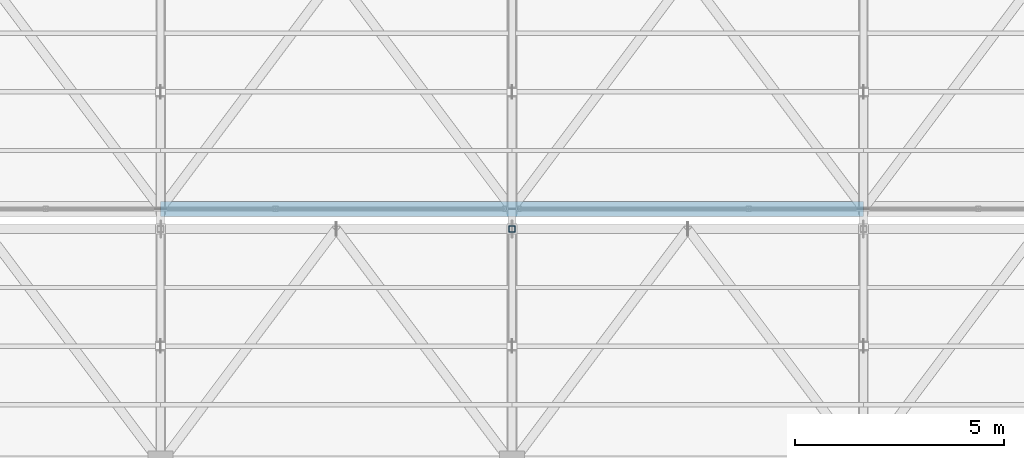
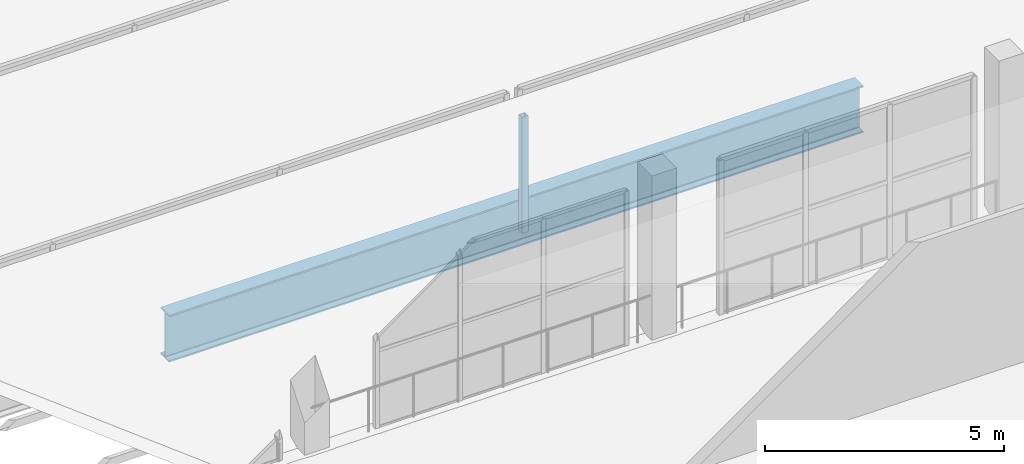
# One storey, part 77 of 217: 1 beam, 1 member.
"""IFC4 building model written with IfcOpenShell, lengths in metres."""

import ifcopenshell
import ifcopenshell.guid

model = None  # the IFC model being written
_history = None  # IfcOwnerHistory: only IFC2X3 demands one
_inside = {}  # id of a spatial element -> (the spatial element, [elements in it])
_under = {}  # id of a project, library or spatial element -> (it, [spatial elements below it])
_declared = {}  # id of a project -> (the project, [libraries it declares])
_typed = {}  # id of a type object -> (the type object, [elements of that type])
_made_of = {}  # id of a material, layer set ... -> (it, [elements and type objects made of it])


def new_model(schema):
    """Start an empty IFC model of exactly this schema.

    Asked for "IFC4X3", IfcOpenShell would pick the latest addendum, in which some entities
    have other attributes; the version numbers below select the first issue.
    IFC2X3 requires an IfcOwnerHistory on every rooted entity: one is made here for all.
    """
    global model, _history
    if schema == "IFC4X3":
        model = ifcopenshell.file(schema_version=(4, 3, 0, 0))
    else:
        model = ifcopenshell.file(schema=schema)
    _inside.clear()
    _under.clear()
    _declared.clear()
    _typed.clear()
    _made_of.clear()
    _history = None
    if model.schema == "IFC2X3":
        org = make("IfcOrganization", Name="unknown")
        user = make(
            "IfcPersonAndOrganization",
            ThePerson=make("IfcPerson", FamilyName="unknown"),
            TheOrganization=org,
        )
        app = make(
            "IfcApplication",
            ApplicationDeveloper=org,
            Version="unknown",
            ApplicationFullName="unknown",
            ApplicationIdentifier="unknown",
        )
        _history = make(
            "IfcOwnerHistory",
            OwningUser=user,
            OwningApplication=app,
            ChangeAction="ADDED",
            CreationDate=0,
        )
    return model


def make(cls, **values):
    """One entity of the class cls with the attributes given. An attribute that is None is left unset."""
    return model.create_entity(
        cls, **{name: value for name, value in values.items() if value is not None}
    )


def rooted(cls, **values):
    """An entity with a GlobalId (a new one), such as an element, a storey or a relation."""
    return make(cls, GlobalId=ifcopenshell.guid.new(), OwnerHistory=_history, **values)


def si_unit(unit_type, name, prefix=None):
    """IfcSIUnit, for example si_unit("LENGTHUNIT", "METRE", prefix="MILLI")."""
    return make("IfcSIUnit", UnitType=unit_type, Prefix=prefix, Name=name)


def assignment(units):
    """IfcUnitAssignment: the units of a project."""
    return None if units is None else make("IfcUnitAssignment", Units=units)


def point(xyz):
    """IfcCartesianPoint."""
    return None if xyz is None else make("IfcCartesianPoint", Coordinates=xyz)


def direction(xyz):
    """IfcDirection."""
    return None if xyz is None else make("IfcDirection", DirectionRatios=xyz)


def frame(location, z_axis=None, x_axis=None):
    """IfcAxis2Placement3D, a coordinate frame: its origin and axes. An axis left out is left unset."""
    return make(
        "IfcAxis2Placement3D",
        Location=point(location),
        Axis=direction(z_axis),
        RefDirection=direction(x_axis),
    )


def frame_2d(location, x_axis=None):
    """IfcAxis2Placement2D, a coordinate frame in the plane: its origin and x axis."""
    return make(
        "IfcAxis2Placement2D", Location=point(location), RefDirection=direction(x_axis)
    )


def origin():
    """The frame at (0, 0, 0) with its axes left unset."""
    return frame((0.0, 0.0, 0.0))


def origin_2d():
    """The frame at (0, 0) in the plane with its x axis left unset."""
    return frame_2d((0.0, 0.0))


def place(relative_to, where):
    """IfcLocalPlacement: puts the frame where relative to a parent placement (None: the world)."""
    return make(
        "IfcLocalPlacement", PlacementRelTo=relative_to, RelativePlacement=where
    )


def context(
    kind, dimensions, precision=None, world=None, true_north=None, identifier=None
):
    """IfcGeometricRepresentationContext, for example the 3D "Model" context."""
    return make(
        "IfcGeometricRepresentationContext",
        ContextIdentifier=identifier,
        ContextType=kind,
        CoordinateSpaceDimension=dimensions,
        Precision=precision,
        WorldCoordinateSystem=world,
        TrueNorth=true_north,
    )


def subcontext(parent, identifier, kind, view, scale=None):
    """IfcGeometricRepresentationSubContext, for example "Body" below "Model"."""
    return make(
        "IfcGeometricRepresentationSubContext",
        ContextIdentifier=identifier,
        ContextType=kind,
        ParentContext=parent,
        TargetScale=scale,
        TargetView=view,
    )


def project(units=None, contexts=None):
    """IfcProject with its units and contexts."""
    return rooted(
        "IfcProject",
        Name="project",
        RepresentationContexts=contexts,
        UnitsInContext=assignment(units),
    )


def spatial(cls, under=None, at=None, **own):
    """A site, building, storey or space (cls), placed at a placement, below another one or the project."""
    s = rooted(cls, ObjectPlacement=at, **own)
    if under is not None:
        _under.setdefault(under.id(), (under, []))[1].append(s)
    return s


def profile(cls, at=None, kind="AREA", **sizes):
    """A parametric profile (cls). Its sizes go by their IFC names, for example OverallWidth=200.0."""
    return make(cls, ProfileType=kind, Position=at, **sizes)


def hollow_rectangle(**sizes):
    """IfcRectangleHollowProfileDef."""
    return profile("IfcRectangleHollowProfileDef", **sizes)


def i_section(**sizes):
    """IfcIShapeProfileDef."""
    return profile("IfcIShapeProfileDef", **sizes)


def extrude(swept, where, along, depth):
    """IfcExtrudedAreaSolid: the profile swept, set in the frame where, extruded along a direction by depth."""
    return make(
        "IfcExtrudedAreaSolid",
        SweptArea=swept,
        Position=where,
        ExtrudedDirection=direction(along),
        Depth=depth,
    )


def shape(context_of_items, identifier, shape_type, items):
    """IfcShapeRepresentation: the items that make up one representation, for example the "Body"."""
    return make(
        "IfcShapeRepresentation",
        ContextOfItems=context_of_items,
        RepresentationIdentifier=identifier,
        RepresentationType=shape_type,
        Items=items,
    )


def material(Name=None, Category=None):
    """IfcMaterial."""
    return make("IfcMaterial", Name=Name, Category=Category)


def material_profile(
    of_material, cross_section, Name=None, Category=None, Priority=None
):
    """IfcMaterialProfile: a cross section and its material."""
    return make(
        "IfcMaterialProfile",
        Name=Name,
        Material=of_material,
        Profile=cross_section,
        Priority=Priority,
        Category=Category,
    )


def profile_set(profiles, Name=None, composite=None):
    """IfcMaterialProfileSet."""
    return make(
        "IfcMaterialProfileSet",
        Name=Name,
        MaterialProfiles=profiles,
        CompositeProfile=composite,
    )


def made_of(thing, what):
    """Note that an element or type object is made of a material, layer set ...; save() writes the relation."""
    if what is not None:
        _made_of.setdefault(what.id(), (what, []))[1].append(thing)
    return thing


def type_object(cls, material=None, **own):
    """A type object (cls), such as IfcWallType, which elements share."""
    return made_of(rooted(cls, **own), material)


def element(
    cls,
    number,
    at=None,
    inside=None,
    cuts=None,
    type_object=None,
    material=None,
    context=None,
    identifier="Body",
    shape_type=None,
    held_by="IfcProductDefinitionShape",
    body=None,
    shapes=None,
    **own,
):
    """One element of the class cls, such as IfcWall. Its Tag is "e" and its number.

    at: its placement. inside: the storey or other place that contains it. cuts: it is an
    opening in that element (IfcRelVoidsElement). A single representation is given by context,
    identifier, shape_type and body (its items); several are given by shapes. held_by: the class
    of the entity that holds the representations. save() writes the other relations.
    """
    e = rooted(cls, Tag="e%d" % number, ObjectPlacement=at, **own)
    if body is not None:
        shapes = [shape(context, identifier, shape_type, body)]
    if shapes is not None:
        e.Representation = make(held_by, Representations=shapes)
    if inside is not None:
        _inside.setdefault(inside.id(), (inside, []))[1].append(e)
    if cuts is not None:
        rooted(
            "IfcRelVoidsElement", RelatingBuildingElement=cuts, RelatedOpeningElement=e
        )
    if type_object is not None:
        _typed.setdefault(type_object.id(), (type_object, []))[1].append(e)
    return made_of(e, material)


def aggregate(whole, parts):
    """IfcRelAggregates: a whole, such as a stair, and the parts it consists of."""
    return rooted("IfcRelAggregates", RelatingObject=whole, RelatedObjects=parts)


def save(model, path):
    """Write the relations noted so far, then the file.

    IfcRelAggregates (storeys below a building ...), IfcRelContainedInSpatialStructure (elements
    in a storey), IfcRelDefinesByType, IfcRelAssociatesMaterial and IfcRelDeclares: one each for
    every whole, place, type object, material and project.
    """
    for whole, parts in _under.values():
        aggregate(whole, parts)
    for where, things in _inside.values():
        rooted(
            "IfcRelContainedInSpatialStructure",
            RelatedElements=things,
            RelatingStructure=where,
        )
    for kind, things in _typed.values():
        rooted("IfcRelDefinesByType", RelatedObjects=things, RelatingType=kind)
    for what, things in _made_of.values():
        rooted("IfcRelAssociatesMaterial", RelatedObjects=things, RelatingMaterial=what)
    for by, libraries in _declared.values():
        rooted("IfcRelDeclares", RelatingContext=by, RelatedDefinitions=libraries)
    model.write(path)


model = new_model("IFC4")

# Units and contexts
model_context = context("Model", 3, precision=1e-05, world=origin(), true_north=direction((0.0, 1.0)))
body_context = subcontext(model_context, "Body", "Model", "MODEL_VIEW")
ifc_project = project(units=[si_unit("LENGTHUNIT", "METRE"), si_unit("AREAUNIT", "SQUARE_METRE"), si_unit("VOLUMEUNIT", "CUBIC_METRE"), si_unit("PLANEANGLEUNIT", "RADIAN"), si_unit("MASSUNIT", "GRAM", prefix="KILO")], contexts=[model_context])

# Site, building, storey
site_placement = place(None, origin())
site = spatial("IfcSite", under=ifc_project, at=site_placement, CompositionType="ELEMENT")
building_placement = place(site_placement, origin())
building = spatial("IfcBuilding", under=site, at=building_placement, Name="Zuvorla Pavilion Media Centre", CompositionType="ELEMENT")
storey_placement = place(building_placement, frame((0.0, 0.0, 9.60009765625)))
storey = spatial("IfcBuildingStorey", under=building, at=storey_placement, Name="L02", CompositionType="ELEMENT", Elevation=9.60009765625)

# Beam
ifc_material = material(Name="Steel S355", Category="steel")
ifc_material_profile_1 = material_profile(ifc_material, i_section(OverallWidth=0.360107421875, OverallDepth=1.199951171875, WebThickness=0.02001953125, FlangeThickness=0.0380859375, FilletRadius=0.02392578125, at=origin_2d()), Name="PG 1200x360x38")
ifc_profile_set_1 = profile_set([ifc_material_profile_1], Name="Steel S355")
beam_type = type_object("IfcBeamType", Name="BM-PG1200", PredefinedType="BEAM", material=ifc_profile_set_1)
beam_placement = place(storey_placement, frame((75.199951171875, 95.679931640625, -0.88818359375), z_axis=(1.0, 0.0, 0.0), x_axis=(0.0, 1.0, 0.0)))
element("IfcBeam", 1, at=beam_placement, inside=storey, type_object=beam_type, Name="L02 beam B01 1785", PredefinedType="BEAM", context=body_context, shape_type="SweptSolid", body=[
    extrude(i_section(OverallWidth=0.360107421875, OverallDepth=1.199951171875, WebThickness=0.02001953125, FlangeThickness=0.0380859375, FilletRadius=0.02392578125, at=origin_2d()), origin(), (0.0, 0.0, 1.0), 16.800048828125),
])

# Member
ifc_material_profile_2 = material_profile(ifc_material, hollow_rectangle(XDim=0.14990234375, YDim=0.14990234375, WallThickness=0.008056640625, at=origin_2d()), Name="SHS 150x150x8")
ifc_profile_set_2 = profile_set([ifc_material_profile_2], Name="Steel S355")
member_type = type_object("IfcMemberType", Name="MEM-STR-SHS150", PredefinedType="STRUT", material=ifc_profile_set_2)
member_placement = place(storey_placement, frame((83.60009765625, 95.199951171875, -0.880126953125), z_axis=(0.0, 0.0, 1.0), x_axis=(1.0, 0.0, 0.0)))
element("IfcMember", 2, at=member_placement, inside=storey, type_object=member_type, Name="L02 vertical strut TS01 45", PredefinedType="STRUT", context=body_context, shape_type="SweptSolid", body=[
    extrude(hollow_rectangle(XDim=0.14990234375, YDim=0.14990234375, WallThickness=0.008056640625, at=origin_2d()), origin(), (0.0, 0.0, 1.0), 2.963623046875),
])

save(model, "model.ifc")
